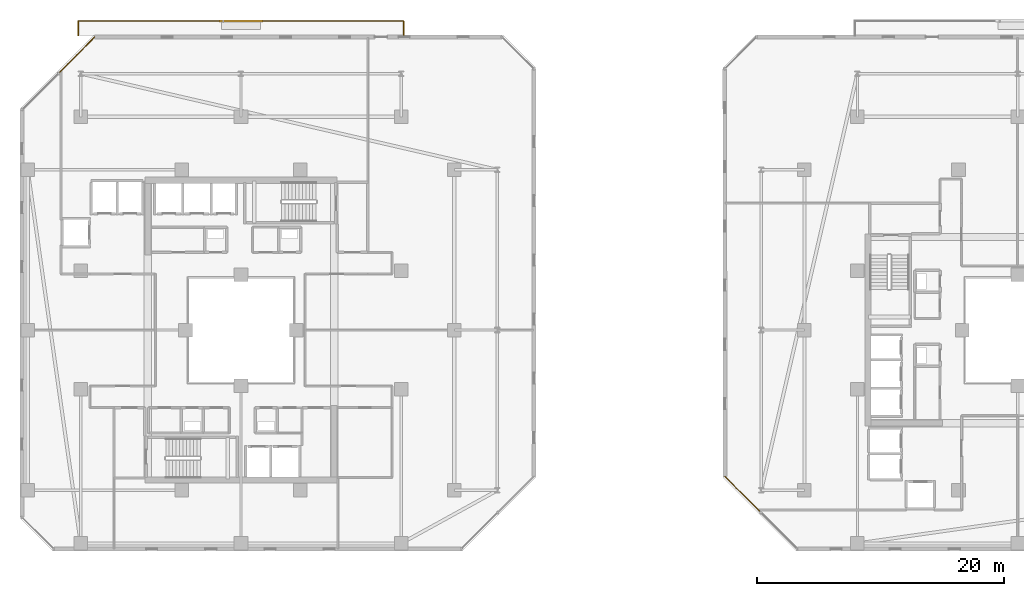
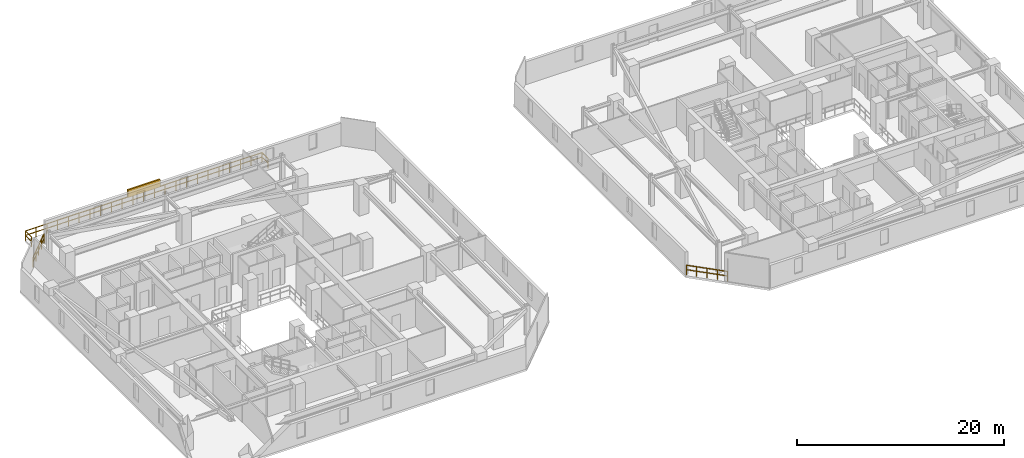
# One storey, part 30 of 32: 3 railings, 1 shading device.
"""IFC4 building model written with IfcOpenShell, lengths in metres."""

from ifc_helpers import new_model, si_unit, direction, frame, origin, origin_2d, place, context, subcontext, project, spatial, rectangle, extrude, material, type_object, element, save


model = new_model("IFC4")

# Units and contexts
model_context = context("Model", 3, precision=1e-05, world=origin(), true_north=direction((0.0, 1.0)))
body_context = subcontext(model_context, "Body", "Model", "MODEL_VIEW")
ifc_project = project(units=[si_unit("LENGTHUNIT", "METRE"), si_unit("AREAUNIT", "SQUARE_METRE"), si_unit("VOLUMEUNIT", "CUBIC_METRE"), si_unit("PLANEANGLEUNIT", "RADIAN"), si_unit("MASSUNIT", "GRAM", prefix="KILO")], contexts=[model_context])

# Site, building, storey
site_placement = place(None, origin())
site = spatial("IfcSite", under=ifc_project, at=site_placement, CompositionType="ELEMENT")
building_placement = place(site_placement, origin())
building = spatial("IfcBuilding", under=site, at=building_placement, Name="Thornwick Lancets Civic Towers", CompositionType="ELEMENT")
storey_placement = place(building_placement, frame((0.0, 0.0, 178.5)))
storey = spatial("IfcBuildingStorey", under=building, at=storey_placement, Name="L47", CompositionType="ELEMENT", Elevation=178.5)

# Railings
ifc_material_1 = material(Name="Terracotta-capped laminated glass balustrade S355", Category="masonry")
railing_type = type_object("IfcRailingType", Name="RAIL_TERR_GUARD", PredefinedType="GUARDRAIL", material=ifc_material_1)
railing_1_placement = place(storey_placement, frame((13.627685546875, 50.753662109375, 0.0)))
element("IfcRailing", 1, at=railing_1_placement, inside=storey, type_object=railing_type, Name="L47 Tower A Chamfer Spandrel Guard E5-1", PredefinedType="GUARDRAIL", context=body_context, shape_type="SweptSolid", body=[
    extrude(rectangle(XDim=0.048095703125, YDim=0.048095703125, at=origin_2d()), frame((0.0, 0.0, 1.1259765625), z_axis=(-0.707106781187, -0.707106781187, 0.0), x_axis=(0.707106781187, -0.707106781187, 0.0)), (0.0, 0.0, 1.0), 4.135986328125),
    extrude(rectangle(XDim=0.0419921875, YDim=0.0419921875, at=origin_2d()), frame((-0.026611328125, -0.026611328125, 0.597900390625), z_axis=(-0.707106781187, -0.707106781187, 0.0), x_axis=(0.707106781187, -0.707106781187, 0.0)), (0.0, 0.0, 1.0), 0.958984375),
    extrude(rectangle(XDim=0.0419921875, YDim=0.0419921875, at=origin_2d()), frame((-0.757568359375, -0.757568359375, 0.597900390625), z_axis=(-0.707106781187, -0.707106781187, 0.0), x_axis=(0.707106781187, -0.707106781187, 0.0)), (0.0, 0.0, 1.0), 0.958984375),
    extrude(rectangle(XDim=0.0419921875, YDim=0.0419921875, at=origin_2d()), frame((-1.48876953125, -1.48876953125, 0.597900390625), z_axis=(-0.707106781187, -0.707106781187, 0.0), x_axis=(0.707106781187, -0.707106781187, 0.0)), (0.0, 0.0, 1.0), 0.958984375),
    extrude(rectangle(XDim=0.0419921875, YDim=0.0419921875, at=origin_2d()), frame((-2.219970703125, -2.219970703125, 0.597900390625), z_axis=(-0.707106781187, -0.707106781187, 0.0), x_axis=(0.707106781187, -0.707106781187, 0.0)), (0.0, 0.0, 1.0), 0.958984375),
    extrude(rectangle(XDim=0.0419921875, YDim=0.0419921875, at=origin_2d()), origin(), (0.0, 0.0, 1.0), 1.095703125),
    extrude(rectangle(XDim=0.0419921875, YDim=0.0419921875, at=origin_2d()), frame((-0.731201171875, -0.731201171875, 0.0)), (0.0, 0.0, 1.0), 1.095703125),
    extrude(rectangle(XDim=0.0419921875, YDim=0.0419921875, at=origin_2d()), frame((-1.46240234375, -1.46240234375, 0.0)), (0.0, 0.0, 1.0), 1.095703125),
    extrude(rectangle(XDim=0.0419921875, YDim=0.0419921875, at=origin_2d()), frame((-2.193359375, -2.193359375, 0.0)), (0.0, 0.0, 1.0), 1.095703125),
    extrude(rectangle(XDim=0.0419921875, YDim=0.0419921875, at=origin_2d()), frame((-2.924560546875, -2.924560546875, 0.0)), (0.0, 0.0, 1.0), 1.095703125),
])
railing_2_placement = place(storey_placement, frame((12.300048828125, 50.89990234375, 0.0)))
element("IfcRailing", 2, at=railing_2_placement, inside=storey, type_object=railing_type, Name="L47 Tower A Balcony Guard N", PredefinedType="GUARDRAIL", context=body_context, shape_type="SweptSolid", body=[
    extrude(rectangle(XDim=0.048095703125, YDim=0.048095703125, at=origin_2d()), frame((0.0, 0.0, 1.1259765625), z_axis=(0.0, 1.0, 0.0), x_axis=(-1.0, 0.0, 0.0)), (0.0, 0.0, 1.0), 1.138916015625),
    extrude(rectangle(XDim=0.0419921875, YDim=0.0419921875, at=origin_2d()), frame((0.0, 0.03759765625, 0.597900390625), z_axis=(0.0, 1.0, 0.0), x_axis=(-1.0, 0.0, 0.0)), (0.0, 0.0, 1.0), 1.09521484375),
    extrude(rectangle(XDim=0.048095703125, YDim=0.048095703125, at=origin_2d()), frame((0.03125, 1.170166015625, 1.1259765625), z_axis=(1.0, 0.0, 0.0), x_axis=(0.0, 1.0, 0.0)), (0.0, 0.0, 1.0), 26.33740234375),
    extrude(rectangle(XDim=0.0419921875, YDim=0.0419921875, at=origin_2d()), frame((0.03759765625, 1.170166015625, 0.597900390625), z_axis=(1.0, 0.0, 0.0), x_axis=(0.0, 1.0, 0.0)), (0.0, 0.0, 1.0), 1.125),
    extrude(rectangle(XDim=0.0419921875, YDim=0.0419921875, at=origin_2d()), frame((1.237548828125, 1.170166015625, 0.597900390625), z_axis=(1.0, 0.0, 0.0), x_axis=(0.0, 1.0, 0.0)), (0.0, 0.0, 1.0), 1.125),
    extrude(rectangle(XDim=0.0419921875, YDim=0.0419921875, at=origin_2d()), frame((2.4375, 1.170166015625, 0.597900390625), z_axis=(1.0, 0.0, 0.0), x_axis=(0.0, 1.0, 0.0)), (0.0, 0.0, 1.0), 1.125),
    extrude(rectangle(XDim=0.0419921875, YDim=0.0419921875, at=origin_2d()), frame((3.637451171875, 1.170166015625, 0.597900390625), z_axis=(1.0, 0.0, 0.0), x_axis=(0.0, 1.0, 0.0)), (0.0, 0.0, 1.0), 1.125),
    extrude(rectangle(XDim=0.0419921875, YDim=0.0419921875, at=origin_2d()), frame((4.83740234375, 1.170166015625, 0.597900390625), z_axis=(1.0, 0.0, 0.0), x_axis=(0.0, 1.0, 0.0)), (0.0, 0.0, 1.0), 1.125),
    extrude(rectangle(XDim=0.0419921875, YDim=0.0419921875, at=origin_2d()), frame((6.037353515625, 1.170166015625, 0.597900390625), z_axis=(1.0, 0.0, 0.0), x_axis=(0.0, 1.0, 0.0)), (0.0, 0.0, 1.0), 1.125),
    extrude(rectangle(XDim=0.0419921875, YDim=0.0419921875, at=origin_2d()), frame((7.237548828125, 1.170166015625, 0.597900390625), z_axis=(1.0, 0.0, 0.0), x_axis=(0.0, 1.0, 0.0)), (0.0, 0.0, 1.0), 1.125),
    extrude(rectangle(XDim=0.0419921875, YDim=0.0419921875, at=origin_2d()), frame((8.4375, 1.170166015625, 0.597900390625), z_axis=(1.0, 0.0, 0.0), x_axis=(0.0, 1.0, 0.0)), (0.0, 0.0, 1.0), 1.125),
    extrude(rectangle(XDim=0.0419921875, YDim=0.0419921875, at=origin_2d()), frame((9.637451171875, 1.170166015625, 0.597900390625), z_axis=(1.0, 0.0, 0.0), x_axis=(0.0, 1.0, 0.0)), (0.0, 0.0, 1.0), 1.125),
    extrude(rectangle(XDim=0.0419921875, YDim=0.0419921875, at=origin_2d()), frame((10.83740234375, 1.170166015625, 0.597900390625), z_axis=(1.0, 0.0, 0.0), x_axis=(0.0, 1.0, 0.0)), (0.0, 0.0, 1.0), 1.125),
    extrude(rectangle(XDim=0.0419921875, YDim=0.0419921875, at=origin_2d()), frame((12.037353515625, 1.170166015625, 0.597900390625), z_axis=(1.0, 0.0, 0.0), x_axis=(0.0, 1.0, 0.0)), (0.0, 0.0, 1.0), 1.125),
    extrude(rectangle(XDim=0.0419921875, YDim=0.0419921875, at=origin_2d()), frame((13.237548828125, 1.170166015625, 0.597900390625), z_axis=(1.0, 0.0, 0.0), x_axis=(0.0, 1.0, 0.0)), (0.0, 0.0, 1.0), 1.125),
    extrude(rectangle(XDim=0.0419921875, YDim=0.0419921875, at=origin_2d()), frame((14.4375, 1.170166015625, 0.597900390625), z_axis=(1.0, 0.0, 0.0), x_axis=(0.0, 1.0, 0.0)), (0.0, 0.0, 1.0), 1.125),
    extrude(rectangle(XDim=0.0419921875, YDim=0.0419921875, at=origin_2d()), frame((15.637451171875, 1.170166015625, 0.597900390625), z_axis=(1.0, 0.0, 0.0), x_axis=(0.0, 1.0, 0.0)), (0.0, 0.0, 1.0), 1.125),
    extrude(rectangle(XDim=0.0419921875, YDim=0.0419921875, at=origin_2d()), frame((16.83740234375, 1.170166015625, 0.597900390625), z_axis=(1.0, 0.0, 0.0), x_axis=(0.0, 1.0, 0.0)), (0.0, 0.0, 1.0), 1.125),
    extrude(rectangle(XDim=0.0419921875, YDim=0.0419921875, at=origin_2d()), frame((18.037353515625, 1.170166015625, 0.597900390625), z_axis=(1.0, 0.0, 0.0), x_axis=(0.0, 1.0, 0.0)), (0.0, 0.0, 1.0), 1.125),
    extrude(rectangle(XDim=0.0419921875, YDim=0.0419921875, at=origin_2d()), frame((19.2373046875, 1.170166015625, 0.597900390625), z_axis=(1.0, 0.0, 0.0), x_axis=(0.0, 1.0, 0.0)), (0.0, 0.0, 1.0), 1.125),
    extrude(rectangle(XDim=0.0419921875, YDim=0.0419921875, at=origin_2d()), frame((20.4375, 1.170166015625, 0.597900390625), z_axis=(1.0, 0.0, 0.0), x_axis=(0.0, 1.0, 0.0)), (0.0, 0.0, 1.0), 1.125),
    extrude(rectangle(XDim=0.0419921875, YDim=0.0419921875, at=origin_2d()), frame((21.637451171875, 1.170166015625, 0.597900390625), z_axis=(1.0, 0.0, 0.0), x_axis=(0.0, 1.0, 0.0)), (0.0, 0.0, 1.0), 1.125),
    extrude(rectangle(XDim=0.0419921875, YDim=0.0419921875, at=origin_2d()), frame((22.83740234375, 1.170166015625, 0.597900390625), z_axis=(1.0, 0.0, 0.0), x_axis=(0.0, 1.0, 0.0)), (0.0, 0.0, 1.0), 1.125),
    extrude(rectangle(XDim=0.0419921875, YDim=0.0419921875, at=origin_2d()), frame((24.037353515625, 1.170166015625, 0.597900390625), z_axis=(1.0, 0.0, 0.0), x_axis=(0.0, 1.0, 0.0)), (0.0, 0.0, 1.0), 1.125),
    extrude(rectangle(XDim=0.0419921875, YDim=0.0419921875, at=origin_2d()), frame((25.2373046875, 1.170166015625, 0.597900390625), z_axis=(1.0, 0.0, 0.0), x_axis=(0.0, 1.0, 0.0)), (0.0, 0.0, 1.0), 1.125),
    extrude(rectangle(XDim=0.048095703125, YDim=0.048095703125, at=origin_2d()), frame((26.39990234375, 1.138916015625, 1.1259765625), z_axis=(0.0, -1.0, 0.0), x_axis=(1.0, 0.0, 0.0)), (0.0, 0.0, 1.0), 1.138916015625),
    extrude(rectangle(XDim=0.0419921875, YDim=0.0419921875, at=origin_2d()), frame((26.39990234375, 1.132568359375, 0.597900390625), z_axis=(0.0, -1.0, 0.0), x_axis=(1.0, 0.0, 0.0)), (0.0, 0.0, 1.0), 1.09521484375),
    extrude(rectangle(XDim=0.0419921875, YDim=0.0419921875, at=origin_2d()), origin(), (0.0, 0.0, 1.0), 1.095703125),
    extrude(rectangle(XDim=0.0419921875, YDim=0.0419921875, at=origin_2d()), frame((0.0, 1.170166015625, 0.0)), (0.0, 0.0, 1.0), 1.095703125),
    extrude(rectangle(XDim=0.0419921875, YDim=0.0419921875, at=origin_2d()), frame((1.199951171875, 1.170166015625, 0.0)), (0.0, 0.0, 1.0), 1.095703125),
    extrude(rectangle(XDim=0.0419921875, YDim=0.0419921875, at=origin_2d()), frame((2.39990234375, 1.170166015625, 0.0)), (0.0, 0.0, 1.0), 1.095703125),
    extrude(rectangle(XDim=0.0419921875, YDim=0.0419921875, at=origin_2d()), frame((3.60009765625, 1.170166015625, 0.0)), (0.0, 0.0, 1.0), 1.095703125),
    extrude(rectangle(XDim=0.0419921875, YDim=0.0419921875, at=origin_2d()), frame((4.800048828125, 1.170166015625, 0.0)), (0.0, 0.0, 1.0), 1.095703125),
    extrude(rectangle(XDim=0.0419921875, YDim=0.0419921875, at=origin_2d()), frame((6.0, 1.170166015625, 0.0)), (0.0, 0.0, 1.0), 1.095703125),
    extrude(rectangle(XDim=0.0419921875, YDim=0.0419921875, at=origin_2d()), frame((7.199951171875, 1.170166015625, 0.0)), (0.0, 0.0, 1.0), 1.095703125),
    extrude(rectangle(XDim=0.0419921875, YDim=0.0419921875, at=origin_2d()), frame((8.39990234375, 1.170166015625, 0.0)), (0.0, 0.0, 1.0), 1.095703125),
    extrude(rectangle(XDim=0.0419921875, YDim=0.0419921875, at=origin_2d()), frame((9.599853515625, 1.170166015625, 0.0)), (0.0, 0.0, 1.0), 1.095703125),
    extrude(rectangle(XDim=0.0419921875, YDim=0.0419921875, at=origin_2d()), frame((10.800048828125, 1.170166015625, 0.0)), (0.0, 0.0, 1.0), 1.095703125),
    extrude(rectangle(XDim=0.0419921875, YDim=0.0419921875, at=origin_2d()), frame((12.0, 1.170166015625, 0.0)), (0.0, 0.0, 1.0), 1.095703125),
    extrude(rectangle(XDim=0.0419921875, YDim=0.0419921875, at=origin_2d()), frame((13.199951171875, 1.170166015625, 0.0)), (0.0, 0.0, 1.0), 1.095703125),
    extrude(rectangle(XDim=0.0419921875, YDim=0.0419921875, at=origin_2d()), frame((14.39990234375, 1.170166015625, 0.0)), (0.0, 0.0, 1.0), 1.095703125),
    extrude(rectangle(XDim=0.0419921875, YDim=0.0419921875, at=origin_2d()), frame((15.599853515625, 1.170166015625, 0.0)), (0.0, 0.0, 1.0), 1.095703125),
    extrude(rectangle(XDim=0.0419921875, YDim=0.0419921875, at=origin_2d()), frame((16.800048828125, 1.170166015625, 0.0)), (0.0, 0.0, 1.0), 1.095703125),
    extrude(rectangle(XDim=0.0419921875, YDim=0.0419921875, at=origin_2d()), frame((18.0, 1.170166015625, 0.0)), (0.0, 0.0, 1.0), 1.095703125),
    extrude(rectangle(XDim=0.0419921875, YDim=0.0419921875, at=origin_2d()), frame((19.199951171875, 1.170166015625, 0.0)), (0.0, 0.0, 1.0), 1.095703125),
    extrude(rectangle(XDim=0.0419921875, YDim=0.0419921875, at=origin_2d()), frame((20.39990234375, 1.170166015625, 0.0)), (0.0, 0.0, 1.0), 1.095703125),
    extrude(rectangle(XDim=0.0419921875, YDim=0.0419921875, at=origin_2d()), frame((21.599853515625, 1.170166015625, 0.0)), (0.0, 0.0, 1.0), 1.095703125),
    extrude(rectangle(XDim=0.0419921875, YDim=0.0419921875, at=origin_2d()), frame((22.7998046875, 1.170166015625, 0.0)), (0.0, 0.0, 1.0), 1.095703125),
    extrude(rectangle(XDim=0.0419921875, YDim=0.0419921875, at=origin_2d()), frame((24.0, 1.170166015625, 0.0)), (0.0, 0.0, 1.0), 1.095703125),
    extrude(rectangle(XDim=0.0419921875, YDim=0.0419921875, at=origin_2d()), frame((25.199951171875, 1.170166015625, 0.0)), (0.0, 0.0, 1.0), 1.095703125),
    extrude(rectangle(XDim=0.0419921875, YDim=0.0419921875, at=origin_2d()), frame((26.39990234375, 1.170166015625, 0.0)), (0.0, 0.0, 1.0), 1.095703125),
    extrude(rectangle(XDim=0.0419921875, YDim=0.0419921875, at=origin_2d()), frame((26.39990234375, 0.0, 0.0)), (0.0, 0.0, 1.0), 1.095703125),
])
railing_3_placement = place(storey_placement, frame((64.746337890625, 15.127685546875, 0.0)))
element("IfcRailing", 3, at=railing_3_placement, inside=storey, type_object=railing_type, Name="L47 Tower B Chamfer Spandrel Guard E7-1", PredefinedType="GUARDRAIL", context=body_context, shape_type="SweptSolid", body=[
    extrude(rectangle(XDim=0.048095703125, YDim=0.048095703125, at=origin_2d()), frame((0.0, 0.0, 1.1259765625), z_axis=(0.707106781187, -0.707106781187, 0.0), x_axis=(0.707106781187, 0.707106781187, 0.0)), (0.0, 0.0, 1.0), 4.135986328125),
    extrude(rectangle(XDim=0.0419921875, YDim=0.0419921875, at=origin_2d()), frame((0.026611328125, -0.026611328125, 0.597900390625), z_axis=(0.707106781187, -0.707106781187, 0.0), x_axis=(0.707106781187, 0.707106781187, 0.0)), (0.0, 0.0, 1.0), 0.958984375),
    extrude(rectangle(XDim=0.0419921875, YDim=0.0419921875, at=origin_2d()), frame((0.757568359375, -0.757568359375, 0.597900390625), z_axis=(0.707106781187, -0.707106781187, 0.0), x_axis=(0.707106781187, 0.707106781187, 0.0)), (0.0, 0.0, 1.0), 0.958984375),
    extrude(rectangle(XDim=0.0419921875, YDim=0.0419921875, at=origin_2d()), frame((1.48876953125, -1.48876953125, 0.597900390625), z_axis=(0.707106781187, -0.707106781187, 0.0), x_axis=(0.707106781187, 0.707106781187, 0.0)), (0.0, 0.0, 1.0), 0.958984375),
    extrude(rectangle(XDim=0.0419921875, YDim=0.0419921875, at=origin_2d()), frame((2.219970703125, -2.219970703125, 0.597900390625), z_axis=(0.707106781187, -0.707106781187, 0.0), x_axis=(0.707106781187, 0.707106781187, 0.0)), (0.0, 0.0, 1.0), 0.958984375),
    extrude(rectangle(XDim=0.0419921875, YDim=0.0419921875, at=origin_2d()), origin(), (0.0, 0.0, 1.0), 1.095703125),
    extrude(rectangle(XDim=0.0419921875, YDim=0.0419921875, at=origin_2d()), frame((0.731201171875, -0.731201171875, 0.0)), (0.0, 0.0, 1.0), 1.095703125),
    extrude(rectangle(XDim=0.0419921875, YDim=0.0419921875, at=origin_2d()), frame((1.46240234375, -1.46240234375, 0.0)), (0.0, 0.0, 1.0), 1.095703125),
    extrude(rectangle(XDim=0.0419921875, YDim=0.0419921875, at=origin_2d()), frame((2.193359375, -2.193359375, 0.0)), (0.0, 0.0, 1.0), 1.095703125),
    extrude(rectangle(XDim=0.0419921875, YDim=0.0419921875, at=origin_2d()), frame((2.924560546875, -2.924560546875, 0.0)), (0.0, 0.0, 1.0), 1.095703125),
])

# Shading device
ifc_material_2 = material(Name="Extruded terracotta baguette solar screen", Category="masonry")
shading_device_type = type_object("IfcShadingDeviceType", Name="SHADE_BAGUETTE", PredefinedType="JALOUSIE", material=ifc_material_2)
shading_device_placement = place(storey_placement, frame((25.5, 52.06005859375, 1.1201171875), z_axis=(0.0, 0.0, 1.0), x_axis=(1.0, 0.0, 0.0)))
element("IfcShadingDevice", 4, at=shading_device_placement, inside=storey, type_object=shading_device_type, Name="L47 Tower A Terracotta Baguette Screen N", PredefinedType="JALOUSIE", context=body_context, shape_type="SweptSolid", body=[
    extrude(rectangle(XDim=3.60009765625, YDim=0.179931640625, at=origin_2d()), origin(), (0.0, 0.0, 1.0), 0.89990234375),
])

save(model, "model.ifc")
